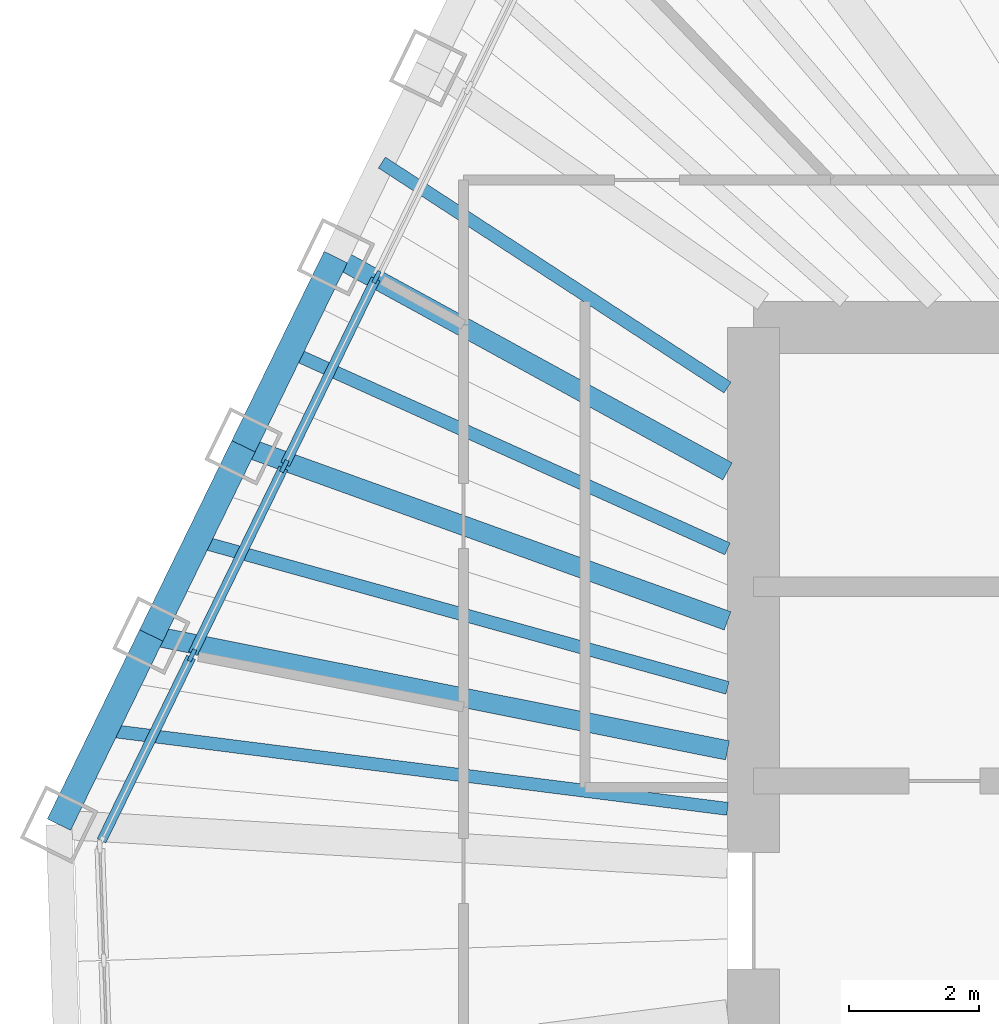
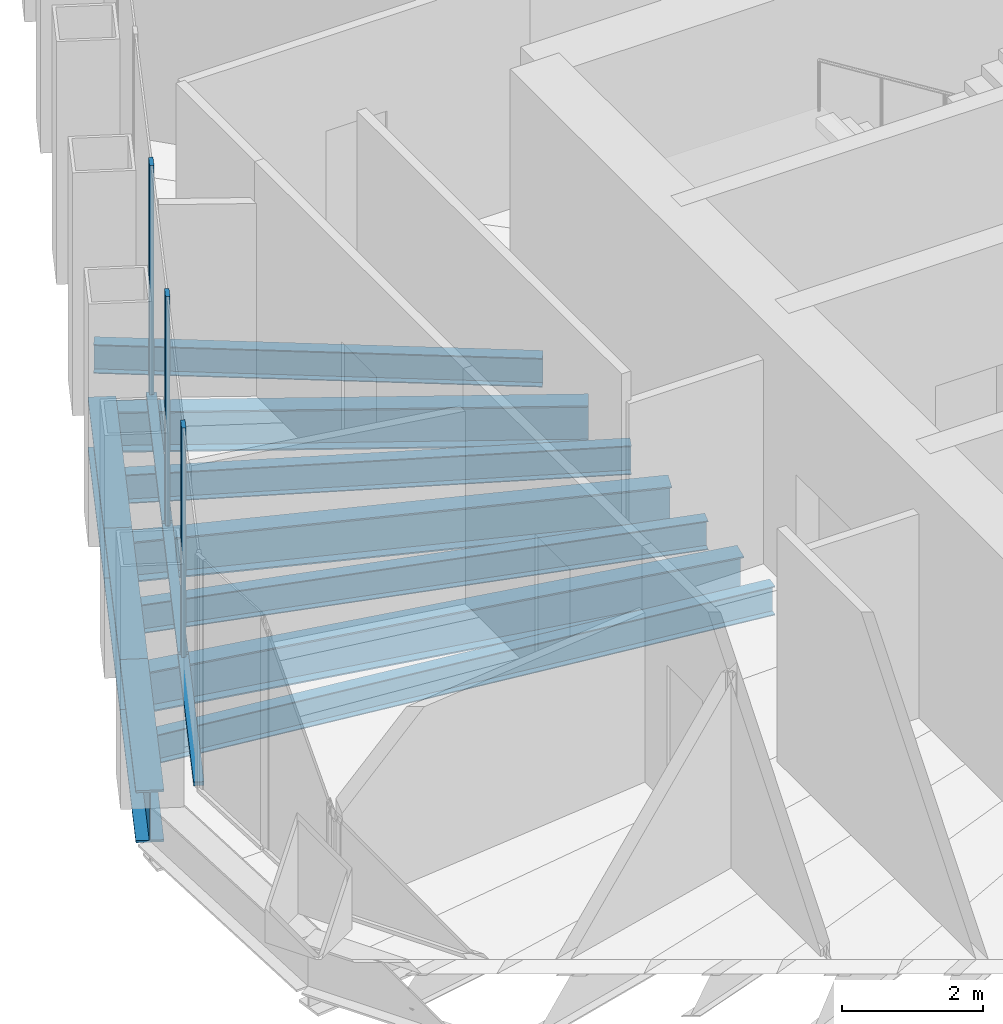
# One storey, part 4 of 14: 10 beams, 6 members, 1 element without a shape of its own.
"""IFC4 building model written with IfcOpenShell, lengths in metres."""

from ifc_helpers import new_model, si_unit, direction, frame, origin, origin_2d, place, context, subcontext, project, spatial, rectangle, i_section, extrude, material, material_profile, profile_set, type_object, element, aggregate, save


model = new_model("IFC4")

# Units and contexts
model_context = context("Model", 3, precision=1e-05, world=origin(), true_north=direction((0.0, 1.0)))
body_context = subcontext(model_context, "Body", "Model", "MODEL_VIEW")
ifc_project = project(units=[si_unit("LENGTHUNIT", "METRE"), si_unit("AREAUNIT", "SQUARE_METRE"), si_unit("VOLUMEUNIT", "CUBIC_METRE"), si_unit("PLANEANGLEUNIT", "RADIAN"), si_unit("MASSUNIT", "GRAM", prefix="KILO")], contexts=[model_context])

# Site, building, storey
site_placement = place(None, origin())
site = spatial("IfcSite", under=ifc_project, at=site_placement, CompositionType="ELEMENT")
building_placement = place(site_placement, origin())
building = spatial("IfcBuilding", under=site, at=building_placement, Name="Qingtian Harvest Tower", CompositionType="ELEMENT")
storey_placement = place(building_placement, frame((0.0, 0.0, 325.0)))
storey = spatial("IfcBuildingStorey", under=building, at=storey_placement, Name="L72", CompositionType="ELEMENT", Elevation=325.0)

# Beams
ifc_material_1 = material(Name="Steel SN490B", Category="steel")
ifc_material_profile_1 = material_profile(ifc_material_1, i_section(OverallWidth=0.300048828125, OverallDepth=0.699951171875, WebThickness=0.012939453125, FlangeThickness=0.02392578125, at=origin_2d()), Name="H700x300x13x24")
ifc_profile_set_1 = profile_set([ifc_material_profile_1], Name="Steel SN490B")
beam_type_1 = type_object("IfcBeamType", Name="Floor beam FB4 H700x300x13x24", PredefinedType="BEAM", material=ifc_profile_set_1)
beam_1_placement = place(storey_placement, frame((-21.29345703125, 4.246337890625, -0.52001953125), z_axis=(0.980692343585, -0.195556966723, 0.0), x_axis=(0.195556966723, 0.980692343585, 0.0)))
element("IfcBeam", 1, at=beam_1_placement, inside=storey, type_object=beam_type_1, Name="Floor beam FB4 NW1", PredefinedType="BEAM", context=body_context, shape_type="SweptSolid", body=[
    extrude(i_section(OverallWidth=0.300048828125, OverallDepth=0.699951171875, WebThickness=0.012939453125, FlangeThickness=0.02392578125, at=origin_2d()), origin(), (0.0, 0.0, 1.0), 9.068603515625),
])
beam_2_placement = place(storey_placement, frame((-19.86962890625, 7.165771484375, -0.52001953125), z_axis=(0.940696778834, -0.339248537641, 0.0), x_axis=(0.339248537641, 0.940696778834, 0.0)))
element("IfcBeam", 2, at=beam_2_placement, inside=storey, type_object=beam_type_1, Name="Floor beam FB4 NW2", PredefinedType="BEAM", context=body_context, shape_type="SweptSolid", body=[
    extrude(i_section(OverallWidth=0.300048828125, OverallDepth=0.699951171875, WebThickness=0.012939453125, FlangeThickness=0.02392578125, at=origin_2d()), origin(), (0.0, 0.0, 1.0), 7.940673828125),
])
beam_3_placement = place(storey_placement, frame((-18.44580078125, 10.0849609375, -0.52001953125), z_axis=(0.877427999734, -0.479708354402, 0.0), x_axis=(0.479708354402, 0.877427999734, 0.0)))
element("IfcBeam", 3, at=beam_3_placement, inside=storey, type_object=beam_type_1, Name="Floor beam FB4 NW3", PredefinedType="BEAM", context=body_context, shape_type="SweptSolid", body=[
    extrude(i_section(OverallWidth=0.300048828125, OverallDepth=0.699951171875, WebThickness=0.012939453125, FlangeThickness=0.02392578125, at=origin_2d()), origin(), (0.0, 0.0, 1.0), 6.890380859375),
])
ifc_material_2 = material(Name="Steel SN490B", Category="steel")
ifc_material_profile_2 = material_profile(ifc_material_2, i_section(OverallWidth=0.199951171875, OverallDepth=0.5, WebThickness=0.010009765625, FlangeThickness=0.01611328125, at=origin_2d()), Name="H500x200x10x16")
ifc_profile_set_2 = profile_set([ifc_material_profile_2], Name="Steel SN490B")
beam_type_2 = type_object("IfcBeamType", Name="Floor joist J3 H500x200x10x16", PredefinedType="JOIST", material=ifc_profile_set_2)
beam_4_placement = place(storey_placement, frame((-22.00537109375, 2.78662109375, -0.419921875), z_axis=(0.992077984062, -0.125623538954, 0.0), x_axis=(0.125623538954, 0.992077984062, 0.0)))
element("IfcBeam", 4, at=beam_4_placement, inside=storey, type_object=beam_type_2, Name="Floor joist J3 NW0", PredefinedType="JOIST", context=body_context, shape_type="SweptSolid", body=[
    extrude(i_section(OverallWidth=0.199951171875, OverallDepth=0.5, WebThickness=0.010009765625, FlangeThickness=0.01611328125, at=origin_2d()), origin(), (0.0, 0.0, 1.0), 9.68212890625),
])
beam_5_placement = place(storey_placement, frame((-20.58154296875, 5.7060546875, -0.419921875), z_axis=(0.963650445063, -0.267166277306, 0.0), x_axis=(0.267166277306, 0.963650445063, 0.0)))
element("IfcBeam", 5, at=beam_5_placement, inside=storey, type_object=beam_type_2, Name="Floor joist J3 NW1", PredefinedType="JOIST", context=body_context, shape_type="SweptSolid", body=[
    extrude(i_section(OverallWidth=0.199951171875, OverallDepth=0.5, WebThickness=0.010009765625, FlangeThickness=0.01611328125, at=origin_2d()), origin(), (0.0, 0.0, 1.0), 8.490234375),
])
beam_6_placement = place(storey_placement, frame((-19.15771484375, 8.625244140625, -0.419921875), z_axis=(0.911847523905, -0.410529040567, 0.0), x_axis=(0.410529040567, 0.911847523905, 0.0)))
element("IfcBeam", 6, at=beam_6_placement, inside=storey, type_object=beam_type_2, Name="Floor joist J3 NW2", PredefinedType="JOIST", context=body_context, shape_type="SweptSolid", body=[
    extrude(i_section(OverallWidth=0.199951171875, OverallDepth=0.5, WebThickness=0.010009765625, FlangeThickness=0.01611328125, at=origin_2d()), origin(), (0.0, 0.0, 1.0), 7.4111328125),
])
beam_7_placement = place(storey_placement, frame((-17.73388671875, 11.544677734375, -0.419921875), z_axis=(0.83806130614, -0.545576069079, 0.0), x_axis=(0.545576069079, 0.83806130614, 0.0)))
element("IfcBeam", 7, at=beam_7_placement, inside=storey, type_object=beam_type_2, Name="Floor joist J3 NW3", PredefinedType="JOIST", context=body_context, shape_type="SweptSolid", body=[
    extrude(i_section(OverallWidth=0.199951171875, OverallDepth=0.5, WebThickness=0.010009765625, FlangeThickness=0.01611328125, at=origin_2d()), origin(), (0.0, 0.0, 1.0), 6.36474609375),
])

# Curtain wall, members
ifc_material_3 = material(Name="Bronze-anodised aluminium curtain wall", Category="aluminium")
curtain_wall_type = type_object("IfcCurtainWallType", Name="Curtain wall CW6 executive floors", PredefinedType="USERDEFINED", material=ifc_material_3)
curtain_wall_placement = place(storey_placement, origin())
curtain_wall = element("IfcCurtainWall", 8, at=curtain_wall_placement, inside=storey, type_object=curtain_wall_type, Name="Curtain wall CW6 L72 NW0-5", ObjectType="RECESSED CURTAIN WALL", PredefinedType="USERDEFINED")
ifc_material_4 = material(Name="Bronze-anodised aluminium mullion", Category="aluminium")
ifc_material_profile_3 = material_profile(ifc_material_4, rectangle(XDim=0.06494140625, YDim=0.199951171875, at=origin_2d()), Name="AL 65x200")
ifc_profile_set_3 = profile_set([ifc_material_profile_3], Name="Bronze-anodised aluminium mullion")
member_type_1 = type_object("IfcMemberType", Name="Mullion CWM 65x200", PredefinedType="MULLION", material=ifc_profile_set_3)
member_1_placement = place(storey_placement, frame((-20.664306640625, 3.939453125, 0.0), z_axis=(0.0, 0.0, 1.0), x_axis=(-0.898794046299, 0.438371146789, 0.0)))
member_1 = element("IfcMember", 9, at=member_1_placement, type_object=member_type_1, Name="CW6 mullion 2", PredefinedType="MULLION", context=body_context, shape_type="SweptSolid", body=[
    extrude(rectangle(XDim=0.06494140625, YDim=0.199951171875, at=origin_2d()), origin(), (0.0, 0.0, 1.0), 4.030029296875),
])
member_2_placement = place(storey_placement, frame((-19.240478515625, 6.85888671875, 0.0), z_axis=(0.0, 0.0, 1.0), x_axis=(-0.898794046299, 0.438371146789, 0.0)))
member_2 = element("IfcMember", 10, at=member_2_placement, type_object=member_type_1, Name="CW6 mullion 3", PredefinedType="MULLION", context=body_context, shape_type="SweptSolid", body=[
    extrude(rectangle(XDim=0.06494140625, YDim=0.199951171875, at=origin_2d()), origin(), (0.0, 0.0, 1.0), 4.030029296875),
])
member_3_placement = place(storey_placement, frame((-17.816650390625, 9.778076171875, 0.0), z_axis=(0.0, 0.0, 1.0), x_axis=(-0.898794046299, 0.438371146789, 0.0)))
member_3 = element("IfcMember", 11, at=member_3_placement, type_object=member_type_1, Name="CW6 mullion 4", PredefinedType="MULLION", context=body_context, shape_type="SweptSolid", body=[
    extrude(rectangle(XDim=0.06494140625, YDim=0.199951171875, at=origin_2d()), origin(), (0.0, 0.0, 1.0), 4.030029296875),
])

# Beams
ifc_material_5 = material(Name="Steel SN490B", Category="steel")
ifc_material_profile_4 = material_profile(ifc_material_5, i_section(OverallWidth=0.39990234375, OverallDepth=0.89990234375, WebThickness=0.01904296875, FlangeThickness=0.035888671875, at=origin_2d()), Name="H900x400x19x36")
ifc_profile_set_4 = profile_set([ifc_material_profile_4], Name="Steel SN490B")
beam_type_3 = type_object("IfcBeamType", Name="Spandrel beam SB4 H900x400x19x36", PredefinedType="SPANDREL", material=ifc_profile_set_4)
beam_8_placement = place(storey_placement, frame((-22.71728515625, 1.3271484375, -0.449951171875), z_axis=(0.438382164311, 0.898788672611, 0.0), x_axis=(-0.898788672611, 0.438382164311, 0.0)))
element("IfcBeam", 12, at=beam_8_placement, inside=storey, type_object=beam_type_3, Name="Spandrel SB4 NW0", PredefinedType="SPANDREL", context=body_context, shape_type="SweptSolid", body=[
    extrude(i_section(OverallWidth=0.39990234375, OverallDepth=0.89990234375, WebThickness=0.01904296875, FlangeThickness=0.035888671875, at=origin_2d()), origin(), (0.0, 0.0, 1.0), 3.247802734375),
])
beam_9_placement = place(storey_placement, frame((-21.29345703125, 4.246337890625, -0.449951171875), z_axis=(0.438352548749, 0.898803116931, 0.0), x_axis=(-0.898803116931, 0.438352548749, 0.0)))
element("IfcBeam", 13, at=beam_9_placement, inside=storey, type_object=beam_type_3, Name="Spandrel SB4 NW1", PredefinedType="SPANDREL", context=body_context, shape_type="SweptSolid", body=[
    extrude(i_section(OverallWidth=0.39990234375, OverallDepth=0.89990234375, WebThickness=0.01904296875, FlangeThickness=0.035888671875, at=origin_2d()), origin(), (0.0, 0.0, 1.0), 3.248046875),
])
beam_10_placement = place(storey_placement, frame((-19.86962890625, 7.165771484375, -0.449951171875), z_axis=(0.438382164311, 0.898788672611, 0.0), x_axis=(-0.898788672611, 0.438382164311, 0.0)))
element("IfcBeam", 14, at=beam_10_placement, inside=storey, type_object=beam_type_3, Name="Spandrel SB4 NW2", PredefinedType="SPANDREL", context=body_context, shape_type="SweptSolid", body=[
    extrude(i_section(OverallWidth=0.39990234375, OverallDepth=0.89990234375, WebThickness=0.01904296875, FlangeThickness=0.035888671875, at=origin_2d()), origin(), (0.0, 0.0, 1.0), 3.247802734375),
])

# Member
ifc_material_6 = material(Name="Bronze-anodised aluminium transom", Category="aluminium")
ifc_material_profile_5 = material_profile(ifc_material_6, rectangle(XDim=0.14990234375, YDim=0.06494140625, at=origin_2d()), Name="AL 65x150")
ifc_profile_set_5 = profile_set([ifc_material_profile_5], Name="Bronze-anodised aluminium transom")
member_type_2 = type_object("IfcMemberType", Name="Transom CWT 65x150", PredefinedType="USERDEFINED", material=ifc_profile_set_5)
member_4_placement = place(storey_placement, frame((-22.059814453125, 1.07861328125, 0.032470703125), z_axis=(0.438357982629, 0.89880046677, 0.0), x_axis=(-0.89880046677, 0.438357982629, 0.0)))
member_4 = element("IfcMember", 15, at=member_4_placement, type_object=member_type_2, Name="CW6 transom 1.1", ObjectType="TRANSOM", PredefinedType="USERDEFINED", context=body_context, shape_type="SweptSolid", body=[
    extrude(rectangle(XDim=0.14990234375, YDim=0.06494140625, at=origin_2d()), origin(), (0.0, 0.0, 1.0), 3.150634765625),
])

member_5_placement = place(storey_placement, frame((-20.650146484375, 3.96875, 0.032470703125), z_axis=(0.438355626738, 0.898801615768, 0.0), x_axis=(-0.898801615768, 0.438355626738, 0.0)))
member_5 = element("IfcMember", 16, at=member_5_placement, type_object=member_type_2, Name="CW6 transom 2.1", ObjectType="TRANSOM", PredefinedType="USERDEFINED", context=body_context, shape_type="SweptSolid", body=[
    extrude(rectangle(XDim=0.14990234375, YDim=0.06494140625, at=origin_2d()), origin(), (0.0, 0.0, 1.0), 3.182861328125),
])

member_6_placement = place(storey_placement, frame((-19.226318359375, 6.887939453125, 0.032470703125), z_axis=(0.438325408134, 0.898816353091, 0.0), x_axis=(-0.898816353091, 0.438325408134, 0.0)))
member_6 = element("IfcMember", 17, at=member_6_placement, type_object=member_type_2, Name="CW6 transom 3.1", ObjectType="TRANSOM", PredefinedType="USERDEFINED", context=body_context, shape_type="SweptSolid", body=[
    extrude(rectangle(XDim=0.14990234375, YDim=0.06494140625, at=origin_2d()), origin(), (0.0, 0.0, 1.0), 3.18310546875),
])

aggregate(curtain_wall, [member_1, member_2, member_3, member_4, member_5, member_6])

save(model, "model.ifc")
